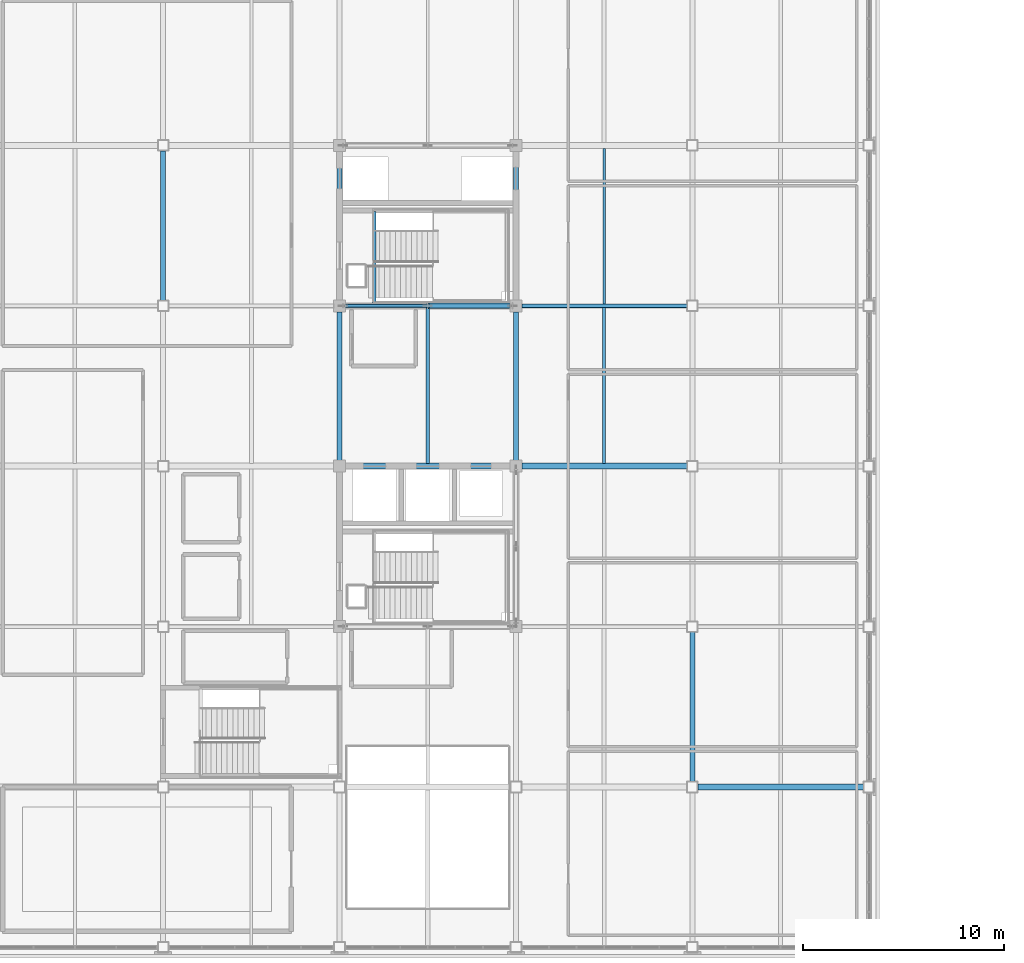
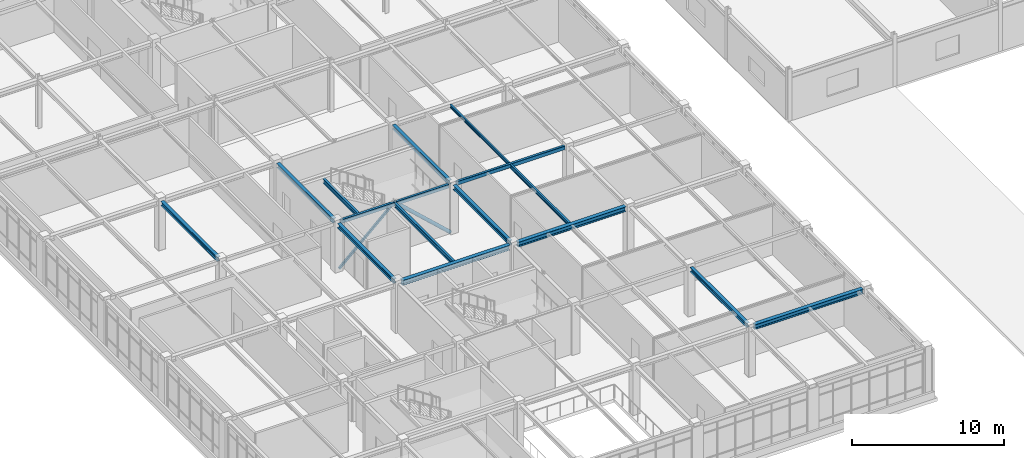
# One storey, part 21 of 88: 15 beams, 2 members.
"""IFC4 building model written with IfcOpenShell, lengths in metres."""

import ifcopenshell
import ifcopenshell.guid

model = None  # the IFC model being written
_history = None  # IfcOwnerHistory: only IFC2X3 demands one
_inside = {}  # id of a spatial element -> (the spatial element, [elements in it])
_under = {}  # id of a project, library or spatial element -> (it, [spatial elements below it])
_declared = {}  # id of a project -> (the project, [libraries it declares])
_typed = {}  # id of a type object -> (the type object, [elements of that type])
_made_of = {}  # id of a material, layer set ... -> (it, [elements and type objects made of it])


def new_model(schema):
    """Start an empty IFC model of exactly this schema.

    Asked for "IFC4X3", IfcOpenShell would pick the latest addendum, in which some entities
    have other attributes; the version numbers below select the first issue.
    IFC2X3 requires an IfcOwnerHistory on every rooted entity: one is made here for all.
    """
    global model, _history
    if schema == "IFC4X3":
        model = ifcopenshell.file(schema_version=(4, 3, 0, 0))
    else:
        model = ifcopenshell.file(schema=schema)
    _inside.clear()
    _under.clear()
    _declared.clear()
    _typed.clear()
    _made_of.clear()
    _history = None
    if model.schema == "IFC2X3":
        org = make("IfcOrganization", Name="unknown")
        user = make(
            "IfcPersonAndOrganization",
            ThePerson=make("IfcPerson", FamilyName="unknown"),
            TheOrganization=org,
        )
        app = make(
            "IfcApplication",
            ApplicationDeveloper=org,
            Version="unknown",
            ApplicationFullName="unknown",
            ApplicationIdentifier="unknown",
        )
        _history = make(
            "IfcOwnerHistory",
            OwningUser=user,
            OwningApplication=app,
            ChangeAction="ADDED",
            CreationDate=0,
        )
    return model


def make(cls, **values):
    """One entity of the class cls with the attributes given. An attribute that is None is left unset."""
    return model.create_entity(
        cls, **{name: value for name, value in values.items() if value is not None}
    )


def rooted(cls, **values):
    """An entity with a GlobalId (a new one), such as an element, a storey or a relation."""
    return make(cls, GlobalId=ifcopenshell.guid.new(), OwnerHistory=_history, **values)


def si_unit(unit_type, name, prefix=None):
    """IfcSIUnit, for example si_unit("LENGTHUNIT", "METRE", prefix="MILLI")."""
    return make("IfcSIUnit", UnitType=unit_type, Prefix=prefix, Name=name)


def assignment(units):
    """IfcUnitAssignment: the units of a project."""
    return None if units is None else make("IfcUnitAssignment", Units=units)


def point(xyz):
    """IfcCartesianPoint."""
    return None if xyz is None else make("IfcCartesianPoint", Coordinates=xyz)


def direction(xyz):
    """IfcDirection."""
    return None if xyz is None else make("IfcDirection", DirectionRatios=xyz)


def frame(location, z_axis=None, x_axis=None):
    """IfcAxis2Placement3D, a coordinate frame: its origin and axes. An axis left out is left unset."""
    return make(
        "IfcAxis2Placement3D",
        Location=point(location),
        Axis=direction(z_axis),
        RefDirection=direction(x_axis),
    )


def frame_2d(location, x_axis=None):
    """IfcAxis2Placement2D, a coordinate frame in the plane: its origin and x axis."""
    return make(
        "IfcAxis2Placement2D", Location=point(location), RefDirection=direction(x_axis)
    )


def origin():
    """The frame at (0, 0, 0) with its axes left unset."""
    return frame((0.0, 0.0, 0.0))


def origin_2d():
    """The frame at (0, 0) in the plane with its x axis left unset."""
    return frame_2d((0.0, 0.0))


def place(relative_to, where):
    """IfcLocalPlacement: puts the frame where relative to a parent placement (None: the world)."""
    return make(
        "IfcLocalPlacement", PlacementRelTo=relative_to, RelativePlacement=where
    )


def context(
    kind, dimensions, precision=None, world=None, true_north=None, identifier=None
):
    """IfcGeometricRepresentationContext, for example the 3D "Model" context."""
    return make(
        "IfcGeometricRepresentationContext",
        ContextIdentifier=identifier,
        ContextType=kind,
        CoordinateSpaceDimension=dimensions,
        Precision=precision,
        WorldCoordinateSystem=world,
        TrueNorth=true_north,
    )


def subcontext(parent, identifier, kind, view, scale=None):
    """IfcGeometricRepresentationSubContext, for example "Body" below "Model"."""
    return make(
        "IfcGeometricRepresentationSubContext",
        ContextIdentifier=identifier,
        ContextType=kind,
        ParentContext=parent,
        TargetScale=scale,
        TargetView=view,
    )


def project(units=None, contexts=None):
    """IfcProject with its units and contexts."""
    return rooted(
        "IfcProject",
        Name="project",
        RepresentationContexts=contexts,
        UnitsInContext=assignment(units),
    )


def spatial(cls, under=None, at=None, **own):
    """A site, building, storey or space (cls), placed at a placement, below another one or the project."""
    s = rooted(cls, ObjectPlacement=at, **own)
    if under is not None:
        _under.setdefault(under.id(), (under, []))[1].append(s)
    return s


def profile(cls, at=None, kind="AREA", **sizes):
    """A parametric profile (cls). Its sizes go by their IFC names, for example OverallWidth=200.0."""
    return make(cls, ProfileType=kind, Position=at, **sizes)


def hollow_rectangle(**sizes):
    """IfcRectangleHollowProfileDef."""
    return profile("IfcRectangleHollowProfileDef", **sizes)


def hollow_circle(**sizes):
    """IfcCircleHollowProfileDef."""
    return profile("IfcCircleHollowProfileDef", **sizes)


def i_section(**sizes):
    """IfcIShapeProfileDef."""
    return profile("IfcIShapeProfileDef", **sizes)


def extrude(swept, where, along, depth):
    """IfcExtrudedAreaSolid: the profile swept, set in the frame where, extruded along a direction by depth."""
    return make(
        "IfcExtrudedAreaSolid",
        SweptArea=swept,
        Position=where,
        ExtrudedDirection=direction(along),
        Depth=depth,
    )


def shape(context_of_items, identifier, shape_type, items):
    """IfcShapeRepresentation: the items that make up one representation, for example the "Body"."""
    return make(
        "IfcShapeRepresentation",
        ContextOfItems=context_of_items,
        RepresentationIdentifier=identifier,
        RepresentationType=shape_type,
        Items=items,
    )


def material(Name=None, Category=None):
    """IfcMaterial."""
    return make("IfcMaterial", Name=Name, Category=Category)


def material_profile(
    of_material, cross_section, Name=None, Category=None, Priority=None
):
    """IfcMaterialProfile: a cross section and its material."""
    return make(
        "IfcMaterialProfile",
        Name=Name,
        Material=of_material,
        Profile=cross_section,
        Priority=Priority,
        Category=Category,
    )


def profile_set(profiles, Name=None, composite=None):
    """IfcMaterialProfileSet."""
    return make(
        "IfcMaterialProfileSet",
        Name=Name,
        MaterialProfiles=profiles,
        CompositeProfile=composite,
    )


def made_of(thing, what):
    """Note that an element or type object is made of a material, layer set ...; save() writes the relation."""
    if what is not None:
        _made_of.setdefault(what.id(), (what, []))[1].append(thing)
    return thing


def type_object(cls, material=None, **own):
    """A type object (cls), such as IfcWallType, which elements share."""
    return made_of(rooted(cls, **own), material)


def element(
    cls,
    number,
    at=None,
    inside=None,
    cuts=None,
    type_object=None,
    material=None,
    context=None,
    identifier="Body",
    shape_type=None,
    held_by="IfcProductDefinitionShape",
    body=None,
    shapes=None,
    **own,
):
    """One element of the class cls, such as IfcWall. Its Tag is "e" and its number.

    at: its placement. inside: the storey or other place that contains it. cuts: it is an
    opening in that element (IfcRelVoidsElement). A single representation is given by context,
    identifier, shape_type and body (its items); several are given by shapes. held_by: the class
    of the entity that holds the representations. save() writes the other relations.
    """
    e = rooted(cls, Tag="e%d" % number, ObjectPlacement=at, **own)
    if body is not None:
        shapes = [shape(context, identifier, shape_type, body)]
    if shapes is not None:
        e.Representation = make(held_by, Representations=shapes)
    if inside is not None:
        _inside.setdefault(inside.id(), (inside, []))[1].append(e)
    if cuts is not None:
        rooted(
            "IfcRelVoidsElement", RelatingBuildingElement=cuts, RelatedOpeningElement=e
        )
    if type_object is not None:
        _typed.setdefault(type_object.id(), (type_object, []))[1].append(e)
    return made_of(e, material)


def aggregate(whole, parts):
    """IfcRelAggregates: a whole, such as a stair, and the parts it consists of."""
    return rooted("IfcRelAggregates", RelatingObject=whole, RelatedObjects=parts)


def save(model, path):
    """Write the relations noted so far, then the file.

    IfcRelAggregates (storeys below a building ...), IfcRelContainedInSpatialStructure (elements
    in a storey), IfcRelDefinesByType, IfcRelAssociatesMaterial and IfcRelDeclares: one each for
    every whole, place, type object, material and project.
    """
    for whole, parts in _under.values():
        aggregate(whole, parts)
    for where, things in _inside.values():
        rooted(
            "IfcRelContainedInSpatialStructure",
            RelatedElements=things,
            RelatingStructure=where,
        )
    for kind, things in _typed.values():
        rooted("IfcRelDefinesByType", RelatedObjects=things, RelatingType=kind)
    for what, things in _made_of.values():
        rooted("IfcRelAssociatesMaterial", RelatedObjects=things, RelatingMaterial=what)
    for by, libraries in _declared.values():
        rooted("IfcRelDeclares", RelatingContext=by, RelatedDefinitions=libraries)
    model.write(path)


model = new_model("IFC4")

# Units and contexts
model_context = context("Model", 3, precision=1e-05, world=origin(), true_north=direction((0.0, 1.0)))
body_context = subcontext(model_context, "Body", "Model", "MODEL_VIEW")
ifc_project = project(units=[si_unit("LENGTHUNIT", "METRE"), si_unit("AREAUNIT", "SQUARE_METRE"), si_unit("VOLUMEUNIT", "CUBIC_METRE"), si_unit("PLANEANGLEUNIT", "RADIAN"), si_unit("MASSUNIT", "GRAM", prefix="KILO")], contexts=[model_context])

# Site, building, storey
site_placement = place(None, origin())
site = spatial("IfcSite", under=ifc_project, at=site_placement, CompositionType="ELEMENT")
building_placement = place(site_placement, origin())
building = spatial("IfcBuilding", under=site, at=building_placement, Name="Zhaolan Boulevard Law Courts", CompositionType="ELEMENT")
storey_placement = place(building_placement, frame((0.0, 0.0, 16.199951171875)))
storey = spatial("IfcBuildingStorey", under=building, at=storey_placement, Name="L03", CompositionType="ELEMENT", Elevation=16.199951171875)

# Members
ifc_material_1 = material(Name="Structural steel Q355B", Category="steel")
ifc_material_profile_1 = material_profile(ifc_material_1, hollow_circle(Radius=0.136474609375, WallThickness=0.010009765625, at=origin_2d()), Name="CHS273x10")
ifc_profile_set_1 = profile_set([ifc_material_profile_1], Name="Structural steel Q355B")
member_type_1 = type_object("IfcMemberType", Name="BRACE CHS273", PredefinedType="BRACE", material=ifc_profile_set_1)
member_1_placement = place(storey_placement, frame((26.219970703125, 62.0, 0.030029296875), z_axis=(-0.73525664892, 0.0, 0.677788802076), x_axis=(0.0, -1.0, 0.0)))
element("IfcMember", 1, at=member_1_placement, inside=storey, type_object=member_type_1, Name="Core Brace BR-W2-L03-S2", PredefinedType="BRACE", context=body_context, shape_type="SweptSolid", body=[
    extrude(hollow_circle(Radius=0.136474609375, WallThickness=0.010009765625, at=origin_2d()), origin(), (0.0, 0.0, 1.0), 5.739501953125),
])
ifc_material_2 = material(Name="Structural steel Q355B", Category="steel")
ifc_material_profile_2 = material_profile(ifc_material_2, hollow_rectangle(XDim=0.159912109375, YDim=0.159912109375, WallThickness=0.008056640625, InnerFilletRadius=0.008056640625, OuterFilletRadius=0.01611328125, at=origin_2d()), Name="HSS160x160x8")
ifc_profile_set_2 = profile_set([ifc_material_profile_2], Name="Structural steel Q355B")
member_type_2 = type_object("IfcMemberType", Name="BRACE HSS160", PredefinedType="BRACE", material=ifc_profile_set_2)
member_2_placement = place(storey_placement, frame((17.780029296875, 62.0, 0.030029296875), z_axis=(0.73525664892, 0.0, 0.677788802076), x_axis=(0.0, 1.0, 0.0)))
element("IfcMember", 2, at=member_2_placement, inside=storey, type_object=member_type_2, Name="Core Brace BR-W2-L03-S1", PredefinedType="BRACE", context=body_context, shape_type="SweptSolid", body=[
    extrude(hollow_rectangle(XDim=0.159912109375, YDim=0.159912109375, WallThickness=0.008056640625, InnerFilletRadius=0.008056640625, OuterFilletRadius=0.01611328125, at=origin_2d()), origin(), (0.0, 0.0, 1.0), 5.739501953125),
])

# Beams
ifc_material_3 = material(Name="Structural steel Q355B", Category="steel")
ifc_material_profile_3 = material_profile(ifc_material_3, i_section(OverallWidth=0.25, OverallDepth=0.340087890625, WebThickness=0.009033203125, FlangeThickness=0.013916015625, FilletRadius=0.01611328125, at=origin_2d()), Name="HM340x250")
ifc_profile_set_3 = profile_set([ifc_material_profile_3], Name="Structural steel Q355B")
beam_type_1 = type_object("IfcBeamType", Name="GIRDER HM340", PredefinedType="BEAM", material=ifc_profile_set_3)
beam_1_placement = place(storey_placement, frame((8.800048828125, 62.27099609375, 3.778076171875), z_axis=(0.0, 1.0, 0.0), x_axis=(-1.0, 0.0, 0.0)))
element("IfcBeam", 3, at=beam_1_placement, inside=storey, type_object=beam_type_1, Name="Beam BY-L04-2-J-K", PredefinedType="BEAM", context=body_context, shape_type="SweptSolid", body=[
    extrude(i_section(OverallWidth=0.25, OverallDepth=0.340087890625, WebThickness=0.009033203125, FlangeThickness=0.013916015625, FilletRadius=0.01611328125, at=origin_2d()), origin(), (0.0, 0.0, 1.0), 7.4580078125),
])
for number, where, z_axis, x_axis, name in (
    (4, (17.60009765625, 54.2958984375, 3.778076171875), (0.0, 1.0, 0.0), (-1.0, 0.0, 0.0), "Beam BY-L04-3-H-J"),
    (5, (17.60009765625, 62.2958984375, 3.778076171875), (0.0, 1.0, 0.0), (-1.0, 0.0, 0.0), "Beam BY-L04-3-J-K"),
    (6, (26.39990234375, 54.2958984375, 3.778076171875), (0.0, 1.0, 0.0), (-1.0, 0.0, 0.0), "Beam BY-L04-4-H-J"),
    (7, (26.39990234375, 62.2958984375, 3.778076171875), (0.0, 1.0, 0.0), (-1.0, 0.0, 0.0), "Beam BY-L04-4-J-K"),
):
    element("IfcBeam", number, at=place(storey_placement, frame(where, z_axis=z_axis, x_axis=x_axis)), inside=storey, type_object=beam_type_1, Name=name, PredefinedType="BEAM", context=body_context, shape_type="SweptSolid", body=[
        extrude(i_section(OverallWidth=0.25, OverallDepth=0.340087890625, WebThickness=0.009033203125, FlangeThickness=0.013916015625, FilletRadius=0.01611328125, at=origin_2d()), origin(), (0.0, 0.0, 1.0), 7.408203125),
    ])
beam_2_placement = place(storey_placement, frame((35.199951171875, 38.27099609375, 3.778076171875), z_axis=(0.0, 1.0, 0.0), x_axis=(-1.0, 0.0, 0.0)))
element("IfcBeam", 8, at=beam_2_placement, inside=storey, type_object=beam_type_1, Name="Beam BY-L04-5-F-G", PredefinedType="BEAM", context=body_context, shape_type="SweptSolid", body=[
    extrude(i_section(OverallWidth=0.25, OverallDepth=0.340087890625, WebThickness=0.009033203125, FlangeThickness=0.013916015625, FilletRadius=0.01611328125, at=origin_2d()), origin(), (0.0, 0.0, 1.0), 7.4580078125),
])
ifc_material_4 = material(Name="Structural steel Q355B", Category="steel")
ifc_material_profile_4 = material_profile(ifc_material_4, i_section(OverallWidth=0.300048828125, OverallDepth=0.389892578125, WebThickness=0.010009765625, FlangeThickness=0.01611328125, FilletRadius=0.01806640625, at=origin_2d()), Name="HM390x300")
ifc_profile_set_4 = profile_set([ifc_material_profile_4], Name="Structural steel Q355B")
beam_type_2 = type_object("IfcBeamType", Name="GIRDER HM390", PredefinedType="BEAM", material=ifc_profile_set_4)
beam_3_placement = place(storey_placement, frame((35.470947265625, 38.0, 3.7529296875), z_axis=(1.0, 0.0, 0.0), x_axis=(0.0, 1.0, 0.0)))
element("IfcBeam", 9, at=beam_3_placement, inside=storey, type_object=beam_type_2, Name="Beam BX-L04-5-6-F", PredefinedType="BEAM", context=body_context, shape_type="SweptSolid", body=[
    extrude(i_section(OverallWidth=0.300048828125, OverallDepth=0.389892578125, WebThickness=0.010009765625, FlangeThickness=0.01611328125, FilletRadius=0.01806640625, at=origin_2d()), origin(), (0.0, 0.0, 1.0), 8.258056640625),
])
beam_4_placement = place(storey_placement, frame((17.89599609375, 54.0, 3.7529296875), z_axis=(1.0, 0.0, 0.0), x_axis=(0.0, 1.0, 0.0)))
element("IfcBeam", 10, at=beam_4_placement, inside=storey, type_object=beam_type_2, Name="Beam BX-L04-3-4-H", PredefinedType="BEAM", context=body_context, shape_type="SweptSolid", body=[
    extrude(i_section(OverallWidth=0.300048828125, OverallDepth=0.389892578125, WebThickness=0.010009765625, FlangeThickness=0.01611328125, FilletRadius=0.01806640625, at=origin_2d()), origin(), (0.0, 0.0, 1.0), 8.2080078125),
])
beam_5_placement = place(storey_placement, frame((26.696044921875, 54.0, 3.7529296875), z_axis=(1.0, 0.0, 0.0), x_axis=(0.0, 1.0, 0.0)))
element("IfcBeam", 11, at=beam_5_placement, inside=storey, type_object=beam_type_2, Name="Beam BX-L04-4-5-H", PredefinedType="BEAM", context=body_context, shape_type="SweptSolid", body=[
    extrude(i_section(OverallWidth=0.300048828125, OverallDepth=0.389892578125, WebThickness=0.010009765625, FlangeThickness=0.01611328125, FilletRadius=0.01806640625, at=origin_2d()), origin(), (0.0, 0.0, 1.0), 8.23291015625),
])
ifc_material_5 = material(Name="Structural steel Q355B", Category="steel")
ifc_material_profile_5 = material_profile(ifc_material_5, i_section(OverallWidth=0.125, OverallDepth=0.25, WebThickness=0.006103515625, FlangeThickness=0.009033203125, FilletRadius=0.010009765625, at=origin_2d()), Name="HN250x125")
ifc_profile_set_5 = profile_set([ifc_material_profile_5], Name="Structural steel Q355B")
beam_type_3 = type_object("IfcBeamType", Name="JOIST HN250", PredefinedType="JOIST", material=ifc_profile_set_5)
beam_6_placement = place(storey_placement, frame((30.800048828125, 62.095947265625, 3.822998046875), z_axis=(0.0, 1.0, 0.0), x_axis=(-1.0, 0.0, 0.0)))
element("IfcBeam", 12, at=beam_6_placement, inside=storey, type_object=beam_type_3, Name="Composite Joist J-L04-4J", PredefinedType="JOIST", context=body_context, shape_type="SweptSolid", body=[
    extrude(i_section(OverallWidth=0.125, OverallDepth=0.25, WebThickness=0.006103515625, FlangeThickness=0.009033203125, FilletRadius=0.010009765625, at=origin_2d()), origin(), (0.0, 0.0, 1.0), 7.758056640625),
])
ifc_material_6 = material(Name="Structural steel Q355B", Category="steel")
ifc_material_profile_6 = material_profile(ifc_material_6, i_section(OverallWidth=0.14990234375, OverallDepth=0.300048828125, WebThickness=0.006591796875, FlangeThickness=0.009033203125, FilletRadius=0.010986328125, at=origin_2d()), Name="HN300x150")
ifc_profile_set_6 = profile_set([ifc_material_profile_6], Name="Structural steel Q355B")
beam_type_4 = type_object("IfcBeamType", Name="JOIST HN300", PredefinedType="JOIST", material=ifc_profile_set_6)
beam_7_placement = place(storey_placement, frame((30.800048828125, 54.14599609375, 3.798095703125), z_axis=(0.0, 1.0, 0.0), x_axis=(-1.0, 0.0, 0.0)))
element("IfcBeam", 13, at=beam_7_placement, inside=storey, type_object=beam_type_4, Name="Composite Joist J-L04-4H", PredefinedType="JOIST", context=body_context, shape_type="SweptSolid", body=[
    extrude(i_section(OverallWidth=0.14990234375, OverallDepth=0.300048828125, WebThickness=0.006591796875, FlangeThickness=0.009033203125, FilletRadius=0.010986328125, at=origin_2d()), origin(), (0.0, 0.0, 1.0), 7.758056640625),
])
ifc_material_7 = material(Name="Structural steel Q355B", Category="steel")
ifc_material_profile_7 = material_profile(ifc_material_7, i_section(OverallWidth=0.175048828125, OverallDepth=0.35009765625, WebThickness=0.007080078125, FlangeThickness=0.010986328125, FilletRadius=0.012939453125, at=origin_2d()), Name="HN350x175")
ifc_profile_set_7 = profile_set([ifc_material_profile_7], Name="Structural steel Q355B")
beam_type_5 = type_object("IfcBeamType", Name="JOIST HN350", PredefinedType="JOIST", material=ifc_profile_set_7)
beam_8_placement = place(storey_placement, frame((22.0, 54.14599609375, 3.77294921875), z_axis=(0.0, 1.0, 0.0), x_axis=(-1.0, 0.0, 0.0)))
element("IfcBeam", 14, at=beam_8_placement, inside=storey, type_object=beam_type_5, Name="Composite Joist J-L04-3H", PredefinedType="JOIST", context=body_context, shape_type="SweptSolid", body=[
    extrude(i_section(OverallWidth=0.175048828125, OverallDepth=0.35009765625, WebThickness=0.007080078125, FlangeThickness=0.010986328125, FilletRadius=0.012939453125, at=origin_2d()), origin(), (0.0, 0.0, 1.0), 7.758056640625),
])
ifc_material_8 = material(Name="Structural steel Q355B", Category="steel")
ifc_material_profile_8 = material_profile(ifc_material_8, hollow_rectangle(XDim=0.199951171875, YDim=0.300048828125, WallThickness=0.011962890625, InnerFilletRadius=0.011962890625, OuterFilletRadius=0.02392578125, at=origin_2d()), Name="HSS300x200x12")
ifc_profile_set_8 = profile_set([ifc_material_profile_8], Name="Structural steel Q355B")
beam_type_6 = type_object("IfcBeamType", Name="SPANDREL HSS300", PredefinedType="SPANDREL", material=ifc_profile_set_8)
beam_9_placement = place(storey_placement, frame((17.89599609375, 62.0, 3.798095703125), z_axis=(1.0, 0.0, 0.0), x_axis=(0.0, 1.0, 0.0)))
element("IfcBeam", 15, at=beam_9_placement, inside=storey, type_object=beam_type_6, Name="Beam BX-L04-3-4-J", PredefinedType="SPANDREL", context=body_context, shape_type="SweptSolid", body=[
    extrude(hollow_rectangle(XDim=0.199951171875, YDim=0.300048828125, WallThickness=0.011962890625, InnerFilletRadius=0.011962890625, OuterFilletRadius=0.02392578125, at=origin_2d()), origin(), (0.0, 0.0, 1.0), 8.2080078125),
])
beam_10_placement = place(storey_placement, frame((26.696044921875, 62.0, 3.798095703125), z_axis=(1.0, 0.0, 0.0), x_axis=(0.0, 1.0, 0.0)))
element("IfcBeam", 16, at=beam_10_placement, inside=storey, type_object=beam_type_6, Name="Beam BX-L04-4-5-J", PredefinedType="SPANDREL", context=body_context, shape_type="SweptSolid", body=[
    extrude(hollow_rectangle(XDim=0.199951171875, YDim=0.300048828125, WallThickness=0.011962890625, InnerFilletRadius=0.011962890625, OuterFilletRadius=0.02392578125, at=origin_2d()), origin(), (0.0, 0.0, 1.0), 8.23291015625),
])
ifc_material_9 = material(Name="Structural steel Q355B", Category="steel")
ifc_material_profile_9 = material_profile(ifc_material_9, i_section(OverallWidth=0.175048828125, OverallDepth=0.35009765625, WebThickness=0.007080078125, FlangeThickness=0.010986328125, FilletRadius=0.012939453125, at=origin_2d()), Name="HN350x175")
ifc_profile_set_9 = profile_set([ifc_material_profile_9], Name="Structural steel Q355B")
beam_type_7 = type_object("IfcBeamType", Name="STAIR TRIMMER HN350", PredefinedType="BEAM", material=ifc_profile_set_9)
beam_11_placement = place(storey_placement, frame((19.3349609375, 62.139892578125, 3.735107421875), z_axis=(0.0, 1.0, 0.0), x_axis=(-1.0, 0.0, 0.0)))
element("IfcBeam", 17, at=beam_11_placement, inside=storey, type_object=beam_type_7, Name="Stair Landing Trimmer Beam STB-ST02-L04", PredefinedType="BEAM", context=body_context, shape_type="SweptSolid", body=[
    extrude(i_section(OverallWidth=0.175048828125, OverallDepth=0.35009765625, WebThickness=0.007080078125, FlangeThickness=0.010986328125, FilletRadius=0.012939453125, at=origin_2d()), origin(), (0.0, 0.0, 1.0), 4.570068359375),
])

save(model, "model.ifc")
